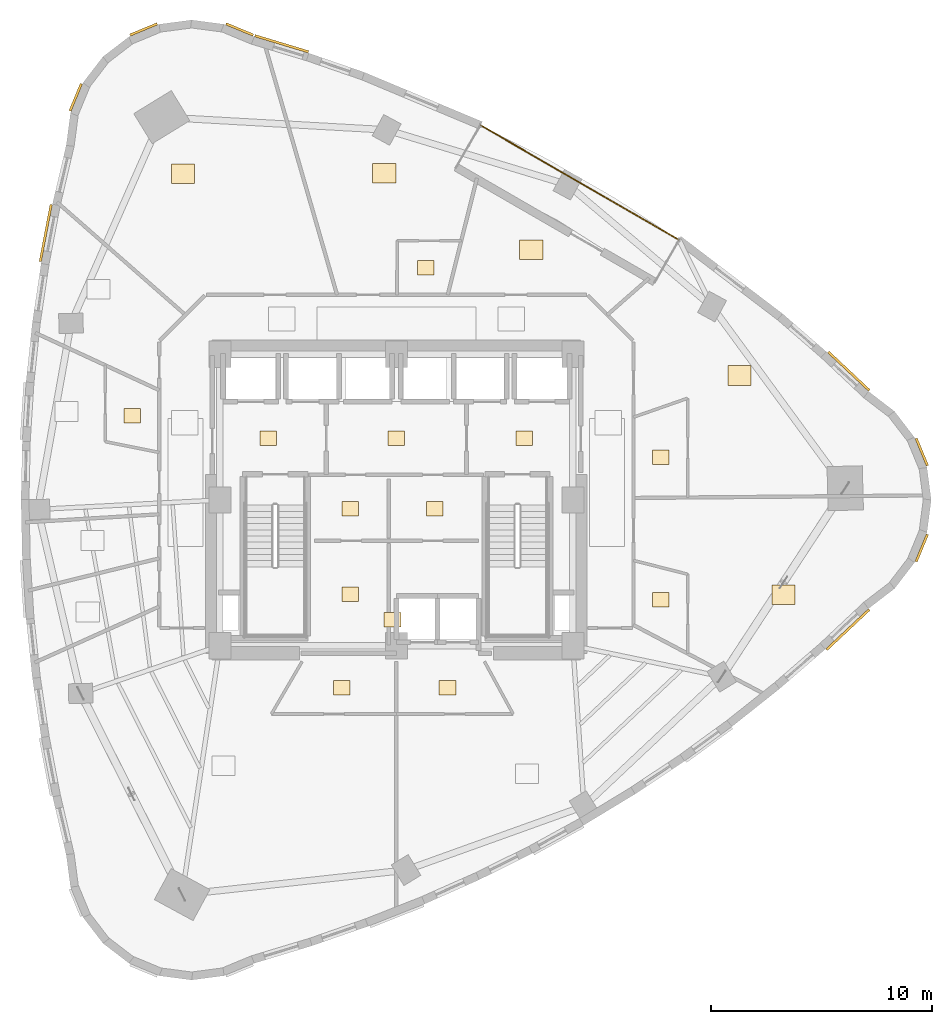
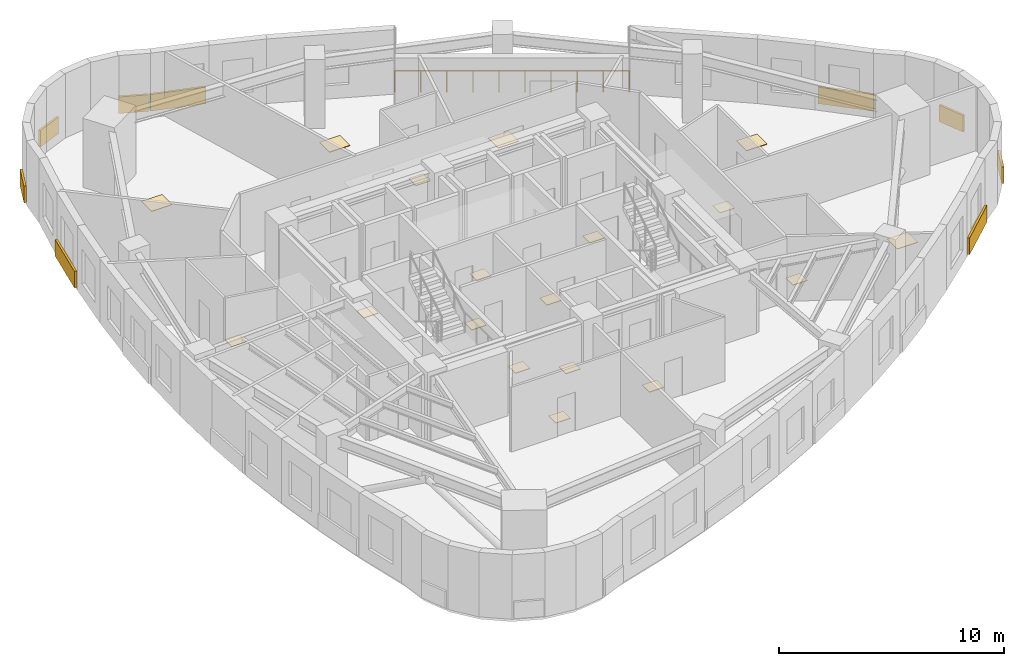
# One storey, part 14 of 14: 27 coverings, 1 railing.
"""IFC4 building model written with IfcOpenShell, lengths in metres."""

import ifcopenshell
import ifcopenshell.guid

model = None  # the IFC model being written
_history = None  # IfcOwnerHistory: only IFC2X3 demands one
_inside = {}  # id of a spatial element -> (the spatial element, [elements in it])
_under = {}  # id of a project, library or spatial element -> (it, [spatial elements below it])
_declared = {}  # id of a project -> (the project, [libraries it declares])
_typed = {}  # id of a type object -> (the type object, [elements of that type])
_made_of = {}  # id of a material, layer set ... -> (it, [elements and type objects made of it])


def new_model(schema):
    """Start an empty IFC model of exactly this schema.

    Asked for "IFC4X3", IfcOpenShell would pick the latest addendum, in which some entities
    have other attributes; the version numbers below select the first issue.
    IFC2X3 requires an IfcOwnerHistory on every rooted entity: one is made here for all.
    """
    global model, _history
    if schema == "IFC4X3":
        model = ifcopenshell.file(schema_version=(4, 3, 0, 0))
    else:
        model = ifcopenshell.file(schema=schema)
    _inside.clear()
    _under.clear()
    _declared.clear()
    _typed.clear()
    _made_of.clear()
    _history = None
    if model.schema == "IFC2X3":
        org = make("IfcOrganization", Name="unknown")
        user = make(
            "IfcPersonAndOrganization",
            ThePerson=make("IfcPerson", FamilyName="unknown"),
            TheOrganization=org,
        )
        app = make(
            "IfcApplication",
            ApplicationDeveloper=org,
            Version="unknown",
            ApplicationFullName="unknown",
            ApplicationIdentifier="unknown",
        )
        _history = make(
            "IfcOwnerHistory",
            OwningUser=user,
            OwningApplication=app,
            ChangeAction="ADDED",
            CreationDate=0,
        )
    return model


def make(cls, **values):
    """One entity of the class cls with the attributes given. An attribute that is None is left unset."""
    return model.create_entity(
        cls, **{name: value for name, value in values.items() if value is not None}
    )


def rooted(cls, **values):
    """An entity with a GlobalId (a new one), such as an element, a storey or a relation."""
    return make(cls, GlobalId=ifcopenshell.guid.new(), OwnerHistory=_history, **values)


def si_unit(unit_type, name, prefix=None):
    """IfcSIUnit, for example si_unit("LENGTHUNIT", "METRE", prefix="MILLI")."""
    return make("IfcSIUnit", UnitType=unit_type, Prefix=prefix, Name=name)


def assignment(units):
    """IfcUnitAssignment: the units of a project."""
    return None if units is None else make("IfcUnitAssignment", Units=units)


def point(xyz):
    """IfcCartesianPoint."""
    return None if xyz is None else make("IfcCartesianPoint", Coordinates=xyz)


def direction(xyz):
    """IfcDirection."""
    return None if xyz is None else make("IfcDirection", DirectionRatios=xyz)


def frame(location, z_axis=None, x_axis=None):
    """IfcAxis2Placement3D, a coordinate frame: its origin and axes. An axis left out is left unset."""
    return make(
        "IfcAxis2Placement3D",
        Location=point(location),
        Axis=direction(z_axis),
        RefDirection=direction(x_axis),
    )


def frame_2d(location, x_axis=None):
    """IfcAxis2Placement2D, a coordinate frame in the plane: its origin and x axis."""
    return make(
        "IfcAxis2Placement2D", Location=point(location), RefDirection=direction(x_axis)
    )


def origin():
    """The frame at (0, 0, 0) with its axes left unset."""
    return frame((0.0, 0.0, 0.0))


def origin_2d():
    """The frame at (0, 0) in the plane with its x axis left unset."""
    return frame_2d((0.0, 0.0))


def place(relative_to, where):
    """IfcLocalPlacement: puts the frame where relative to a parent placement (None: the world)."""
    return make(
        "IfcLocalPlacement", PlacementRelTo=relative_to, RelativePlacement=where
    )


def context(
    kind, dimensions, precision=None, world=None, true_north=None, identifier=None
):
    """IfcGeometricRepresentationContext, for example the 3D "Model" context."""
    return make(
        "IfcGeometricRepresentationContext",
        ContextIdentifier=identifier,
        ContextType=kind,
        CoordinateSpaceDimension=dimensions,
        Precision=precision,
        WorldCoordinateSystem=world,
        TrueNorth=true_north,
    )


def subcontext(parent, identifier, kind, view, scale=None):
    """IfcGeometricRepresentationSubContext, for example "Body" below "Model"."""
    return make(
        "IfcGeometricRepresentationSubContext",
        ContextIdentifier=identifier,
        ContextType=kind,
        ParentContext=parent,
        TargetScale=scale,
        TargetView=view,
    )


def project(units=None, contexts=None):
    """IfcProject with its units and contexts."""
    return rooted(
        "IfcProject",
        Name="project",
        RepresentationContexts=contexts,
        UnitsInContext=assignment(units),
    )


def spatial(cls, under=None, at=None, **own):
    """A site, building, storey or space (cls), placed at a placement, below another one or the project."""
    s = rooted(cls, ObjectPlacement=at, **own)
    if under is not None:
        _under.setdefault(under.id(), (under, []))[1].append(s)
    return s


def profile(cls, at=None, kind="AREA", **sizes):
    """A parametric profile (cls). Its sizes go by their IFC names, for example OverallWidth=200.0."""
    return make(cls, ProfileType=kind, Position=at, **sizes)


def rectangle(**sizes):
    """IfcRectangleProfileDef."""
    return profile("IfcRectangleProfileDef", **sizes)


def circle(**sizes):
    """IfcCircleProfileDef."""
    return profile("IfcCircleProfileDef", **sizes)


def extrude(swept, where, along, depth):
    """IfcExtrudedAreaSolid: the profile swept, set in the frame where, extruded along a direction by depth."""
    return make(
        "IfcExtrudedAreaSolid",
        SweptArea=swept,
        Position=where,
        ExtrudedDirection=direction(along),
        Depth=depth,
    )


def shape(context_of_items, identifier, shape_type, items):
    """IfcShapeRepresentation: the items that make up one representation, for example the "Body"."""
    return make(
        "IfcShapeRepresentation",
        ContextOfItems=context_of_items,
        RepresentationIdentifier=identifier,
        RepresentationType=shape_type,
        Items=items,
    )


def material(Name=None, Category=None):
    """IfcMaterial."""
    return make("IfcMaterial", Name=Name, Category=Category)


def layer(
    of_material, thickness, ventilated=None, Name=None, Category=None, Priority=None
):
    """IfcMaterialLayer: one layer of a wall or slab, of a material (None: an air gap)."""
    return make(
        "IfcMaterialLayer",
        Material=of_material,
        LayerThickness=thickness,
        IsVentilated=ventilated,
        Name=Name,
        Category=Category,
        Priority=Priority,
    )


def layer_set(layers, Name=None):
    """IfcMaterialLayerSet."""
    return make("IfcMaterialLayerSet", MaterialLayers=layers, LayerSetName=Name)


def made_of(thing, what):
    """Note that an element or type object is made of a material, layer set ...; save() writes the relation."""
    if what is not None:
        _made_of.setdefault(what.id(), (what, []))[1].append(thing)
    return thing


def type_object(cls, material=None, **own):
    """A type object (cls), such as IfcWallType, which elements share."""
    return made_of(rooted(cls, **own), material)


def element(
    cls,
    number,
    at=None,
    inside=None,
    cuts=None,
    type_object=None,
    material=None,
    context=None,
    identifier="Body",
    shape_type=None,
    held_by="IfcProductDefinitionShape",
    body=None,
    shapes=None,
    **own,
):
    """One element of the class cls, such as IfcWall. Its Tag is "e" and its number.

    at: its placement. inside: the storey or other place that contains it. cuts: it is an
    opening in that element (IfcRelVoidsElement). A single representation is given by context,
    identifier, shape_type and body (its items); several are given by shapes. held_by: the class
    of the entity that holds the representations. save() writes the other relations.
    """
    e = rooted(cls, Tag="e%d" % number, ObjectPlacement=at, **own)
    if body is not None:
        shapes = [shape(context, identifier, shape_type, body)]
    if shapes is not None:
        e.Representation = make(held_by, Representations=shapes)
    if inside is not None:
        _inside.setdefault(inside.id(), (inside, []))[1].append(e)
    if cuts is not None:
        rooted(
            "IfcRelVoidsElement", RelatingBuildingElement=cuts, RelatedOpeningElement=e
        )
    if type_object is not None:
        _typed.setdefault(type_object.id(), (type_object, []))[1].append(e)
    return made_of(e, material)


def aggregate(whole, parts):
    """IfcRelAggregates: a whole, such as a stair, and the parts it consists of."""
    return rooted("IfcRelAggregates", RelatingObject=whole, RelatedObjects=parts)


def save(model, path):
    """Write the relations noted so far, then the file.

    IfcRelAggregates (storeys below a building ...), IfcRelContainedInSpatialStructure (elements
    in a storey), IfcRelDefinesByType, IfcRelAssociatesMaterial and IfcRelDeclares: one each for
    every whole, place, type object, material and project.
    """
    for whole, parts in _under.values():
        aggregate(whole, parts)
    for where, things in _inside.values():
        rooted(
            "IfcRelContainedInSpatialStructure",
            RelatedElements=things,
            RelatingStructure=where,
        )
    for kind, things in _typed.values():
        rooted("IfcRelDefinesByType", RelatedObjects=things, RelatingType=kind)
    for what, things in _made_of.values():
        rooted("IfcRelAssociatesMaterial", RelatedObjects=things, RelatingMaterial=what)
    for by, libraries in _declared.values():
        rooted("IfcRelDeclares", RelatingContext=by, RelatedDefinitions=libraries)
    model.write(path)


model = new_model("IFC4")

# Units and contexts
model_context = context("Model", 3, precision=1e-05, world=origin(), true_north=direction((0.0, 1.0)))
body_context = subcontext(model_context, "Body", "Model", "MODEL_VIEW")
ifc_project = project(units=[si_unit("LENGTHUNIT", "METRE"), si_unit("AREAUNIT", "SQUARE_METRE"), si_unit("VOLUMEUNIT", "CUBIC_METRE"), si_unit("PLANEANGLEUNIT", "RADIAN"), si_unit("MASSUNIT", "GRAM", prefix="KILO")], contexts=[model_context])

# Site, building, storey
site_placement = place(None, origin())
site = spatial("IfcSite", under=ifc_project, at=site_placement, CompositionType="ELEMENT")
building_placement = place(site_placement, origin())
building = spatial("IfcBuilding", under=site, at=building_placement, Name="Ndelora Gate Hotel", CompositionType="ELEMENT")
storey_placement = place(building_placement, frame((0.0, 0.0, 127.25)))
storey = spatial("IfcBuildingStorey", under=building, at=storey_placement, Name="L31", CompositionType="ELEMENT", Elevation=127.25)

# Coverings
ifc_material_1 = material(Name="Terracotta Fired Clay Brick Slip Cladding", Category="masonry")
ifc_layer_1 = layer(ifc_material_1, 0.110107421875)
ifc_layer_set_1 = layer_set([ifc_layer_1], Name="Terracotta Fired Clay Brick Slip Cladding")
covering_type_1 = type_object("IfcCoveringType", Name="COV-CLAD-BRK", PredefinedType="CLADDING", material=ifc_layer_set_1)
for number, where, z_axis, x_axis, name in (
    (1, (-7.104248046875, 21.327392578125, 0.10009765625), (0.0, 0.0, 1.0), (-0.923879532511, 0.382683432365, 0.0), "L31 Rounded-Corner Brick Cladding Band 1"),
    (2, (-11.456298828125, 21.327392578125, 0.10009765625), (0.0, 0.0, 1.0), (0.923879532511, 0.382683432365, 0.0), "L31 Rounded-Corner Brick Cladding Band 4"),
    (3, (-14.53369140625, 18.249755859375, 0.10009765625), (0.0, 0.0, 1.0), (0.382683432365, 0.923879532511, 0.0), "L31 Rounded-Corner Brick Cladding Band 7"),
):
    element("IfcCovering", number, at=place(storey_placement, frame(where, z_axis=z_axis, x_axis=x_axis)), inside=storey, type_object=covering_type_1, Name=name, PredefinedType="CLADDING", context=body_context, shape_type="SweptSolid", body=[
        extrude(rectangle(XDim=1.3359375, YDim=0.110107421875, at=origin_2d()), origin(), (0.0, 0.0, 1.0), 0.89990234375),
    ])
covering_1_placement = place(storey_placement, frame((-15.89208984375, 12.09912109375, 0.10009765625), z_axis=(0.0, 0.0, 1.0), x_axis=(0.187895613278, 0.982189003456, 0.0)))
element("IfcCovering", 4, at=covering_1_placement, inside=storey, type_object=covering_type_1, Name="L31 Rounded-Corner Brick Cladding Band 10", PredefinedType="CLADDING", context=body_context, shape_type="SweptSolid", body=[
    extrude(rectangle(XDim=2.6279296875, YDim=0.110107421875, at=origin_2d()), origin(), (0.0, 0.0, 1.0), 0.89990234375),
])
covering_2_placement = place(storey_placement, frame((20.466552734375, -5.87451171875, 0.10009765625), z_axis=(0.0, 0.0, 1.0), x_axis=(0.729446353773, 0.684038023042, 0.0)))
element("IfcCovering", 5, at=covering_2_placement, inside=storey, type_object=covering_type_1, Name="L31 Rounded-Corner Brick Cladding Band 40", PredefinedType="CLADDING", context=body_context, shape_type="SweptSolid", body=[
    extrude(rectangle(XDim=2.65087890625, YDim=0.110107421875, at=origin_2d()), origin(), (0.0, 0.0, 1.0), 0.89990234375),
])
for number, where, z_axis, x_axis, name in (
    (6, (23.81396484375, -2.176025390625, 0.10009765625), (0.0, 0.0, 1.0), (0.382683432365, 0.923879532511, 0.0), "L31 Rounded-Corner Brick Cladding Band 43"),
    (7, (23.81396484375, 2.176025390625, 0.10009765625), (0.0, 0.0, 1.0), (-0.382683432365, 0.923879532511, 0.0), "L31 Rounded-Corner Brick Cladding Band 46"),
):
    element("IfcCovering", number, at=place(storey_placement, frame(where, z_axis=z_axis, x_axis=x_axis)), inside=storey, type_object=covering_type_1, Name=name, PredefinedType="CLADDING", context=body_context, shape_type="SweptSolid", body=[
        extrude(rectangle(XDim=1.3359375, YDim=0.110107421875, at=origin_2d()), origin(), (0.0, 0.0, 1.0), 0.89990234375),
    ])
for number, where, z_axis, x_axis, name in (
    (8, (20.507568359375, 5.837646484375, 0.10009765625), (0.0, 0.0, 1.0), (-0.72884914031, 0.684674324529, 0.0), "L31 Rounded-Corner Brick Cladding Band 49"),
    (9, (-5.1982421875, 20.6787109375, 0.10009765625), (0.0, 0.0, 1.0), (-0.957369928516, 0.288864708771, 0.0), "L31 Rounded-Corner Brick Cladding Band 58"),
):
    element("IfcCovering", number, at=place(storey_placement, frame(where, z_axis=z_axis, x_axis=x_axis)), inside=storey, type_object=covering_type_1, Name=name, PredefinedType="CLADDING", context=body_context, shape_type="SweptSolid", body=[
        extrude(rectangle(XDim=2.5419921875, YDim=0.110107421875, at=origin_2d()), origin(), (0.0, 0.0, 1.0), 0.89990234375),
    ])
ifc_material_2 = material(Name="Engineered Highland Oak Parquet", Category="wood")
ifc_layer_2 = layer(ifc_material_2, 0.030029296875)
ifc_layer_set_2 = layer_set([ifc_layer_2], Name="Engineered Highland Oak Parquet")
covering_type_2 = type_object("IfcCoveringType", Name="COV-FLR-PARQ", PredefinedType="FLOORING", material=ifc_layer_set_2)
for number, where, z_axis, x_axis, name in (
    (10, (17.547119140625, -4.2958984375, 0.0), (0.0, 0.0, 1.0), (1.0, 0.0, 0.0), "L31 Club Twin Junior Suite 3403 Oak Parquet Flooring"),
    (11, (15.55517578125, 5.637939453125, 0.0), (0.0, 0.0, 1.0), (1.0, 0.0, 0.0), "L31 Grand Club Suite 3404 Oak Parquet Flooring"),
    (12, (6.1103515625, 11.340087890625, 0.0), (0.0, 0.0, 1.0), (1.0, 0.0, 0.0), "L31 Sky Garden Tea Dining Room Oak Parquet Flooring"),
    (13, (-0.545654296875, 14.807861328125, 0.0), (0.0, 0.0, 1.0), (1.0, 0.0, 0.0), "L31 Club Executive Suite 3405 Oak Parquet Flooring"),
    (14, (-9.677490234375, 14.789794921875, 0.0), (0.0, 0.0, 1.0), (1.0, 0.0, 0.0), "L31 Private Club Dining Room Oak Parquet Flooring"),
):
    element("IfcCovering", number, at=place(storey_placement, frame(where, z_axis=z_axis, x_axis=x_axis)), inside=storey, type_object=covering_type_2, Name=name, PredefinedType="FLOORING", context=body_context, shape_type="SweptSolid", body=[
        extrude(rectangle(XDim=1.050048828125, YDim=0.89990234375, at=origin_2d()), origin(), (0.0, 0.0, 1.0), 0.030029296875),
    ])
ifc_material_3 = material(Name="Non-Slip Porcelain Wet-Room Tile", Category="ceramic")
ifc_layer_3 = layer(ifc_material_3, 0.02490234375)
ifc_layer_set_3 = layer_set([ifc_layer_3], Name="Non-Slip Porcelain Wet-Room Tile")
covering_type_3 = type_object("IfcCoveringType", Name="COV-FLR-TILE", PredefinedType="FLOORING", material=ifc_layer_set_3)
for number, where, z_axis, x_axis, name in (
    (15, (-5.800048828125, 2.800048828125, 0.0), (0.0, 0.0, 1.0), (1.0, 0.0, 0.0), "L31 Firefighting Lift Lobby West Porcelain Tile Flooring"),
    (16, (5.800048828125, 2.800048828125, 0.0), (0.0, 0.0, 1.0), (1.0, 0.0, 0.0), "L31 Firefighting Lift Lobby East Porcelain Tile Flooring"),
    (17, (0.0, 2.800048828125, 0.0), (0.0, 0.0, 1.0), (1.0, 0.0, 0.0), "L31 Central Passenger Lift Lobby Porcelain Tile Flooring"),
    (18, (-2.10009765625, -0.39990234375, 0.0), (0.0, 0.0, 1.0), (1.0, 0.0, 0.0), "L31 Core Electrical Closet Porcelain Tile Flooring"),
    (19, (1.75, -0.39990234375, 0.0), (0.0, 0.0, 1.0), (1.0, 0.0, 0.0), "L31 Comms Patching Store Porcelain Tile Flooring"),
    (20, (-2.10009765625, -4.27490234375, 0.0), (0.0, 0.0, 1.0), (1.0, 0.0, 0.0), "L31 Valet Laundry Store Porcelain Tile Flooring"),
    (21, (-0.175048828125, -5.429931640625, 0.0), (0.0, 0.0, 1.0), (1.0, 0.0, 0.0), "L31 Housekeeping Reserve Store Porcelain Tile Flooring"),
    (22, (-2.47998046875, -8.510009765625, 0.0), (0.0, 0.0, 1.0), (1.0, 0.0, 0.0), "L31 En-suite Bathroom 3401 Porcelain Tile Flooring"),
    (23, (2.318359375, -8.510009765625, 0.0), (0.0, 0.0, 1.0), (1.0, 0.0, 0.0), "L31 En-suite Bathroom 3402 Porcelain Tile Flooring"),
    (24, (11.97509765625, -4.519775390625, 0.0), (0.0, 0.0, 1.0), (1.0, 0.0, 0.0), "L31 En-suite Bathroom 3403 Porcelain Tile Flooring"),
    (25, (11.97509765625, 1.939697265625, 0.0), (0.0, 0.0, 1.0), (1.0, 0.0, 0.0), "L31 En-suite Bathroom 3404 Porcelain Tile Flooring"),
    (26, (1.333740234375, 10.52490234375, 0.0), (0.0, 0.0, 1.0), (1.0, 0.0, 0.0), "L31 En-suite Bathroom 3405 Porcelain Tile Flooring"),
    (27, (-11.97509765625, 3.8154296875, 0.0), (0.0, 0.0, 1.0), (1.0, 0.0, 0.0), "L31 En-suite Bathroom 3406 Porcelain Tile Flooring"),
):
    element("IfcCovering", number, at=place(storey_placement, frame(where, z_axis=z_axis, x_axis=x_axis)), inside=storey, type_object=covering_type_3, Name=name, PredefinedType="FLOORING", context=body_context, shape_type="SweptSolid", body=[
        extrude(rectangle(XDim=0.75, YDim=0.64990234375, at=origin_2d()), origin(), (0.0, 0.0, 1.0), 0.02490234375),
    ])

# Railing
ifc_material_4 = material(Name="Laminated Safety Glass and Bronze Top Rail", Category="glass")
ifc_layer_4 = layer(ifc_material_4, 0.070068359375)
ifc_layer_set_4 = layer_set([ifc_layer_4], Name="Laminated Safety Glass and Bronze Top Rail")
railing_type = type_object("IfcRailingType", Name="RL-BAL-1150", PredefinedType="BALUSTRADE", material=ifc_layer_set_4)
railing_placement = place(storey_placement, frame((12.81103515625, 11.78955078125, 0.0)))
element("IfcRailing", 28, at=railing_placement, inside=storey, type_object=railing_type, Name="L31 Sky-Garden Loggia Terrace Balustrade", PredefinedType="BALUSTRADE", context=body_context, shape_type="SweptSolid", body=[
    extrude(circle(Radius=0.02392578125, at=origin_2d()), frame((0.0, 0.0, 1.1357421875), z_axis=(-0.866025696342, 0.499999493275, 0.0), x_axis=(-0.499999493275, -0.866025696342, 0.0)), (0.0, 0.0, 1.0), 10.39990234375),
    extrude(circle(Radius=0.02099609375, at=origin_2d()), origin(), (0.0, 0.0, 1.0), 1.11181640625),
    extrude(circle(Radius=0.02099609375, at=origin_2d()), frame((-1.000732421875, 0.577880859375, 0.0)), (0.0, 0.0, 1.0), 1.11181640625),
    extrude(circle(Radius=0.02099609375, at=origin_2d()), frame((-2.00146484375, 1.155517578125, 0.0)), (0.0, 0.0, 1.0), 1.11181640625),
    extrude(circle(Radius=0.02099609375, at=origin_2d()), frame((-3.002197265625, 1.7333984375, 0.0)), (0.0, 0.0, 1.0), 1.11181640625),
    extrude(circle(Radius=0.02099609375, at=origin_2d()), frame((-4.0029296875, 2.31103515625, 0.0)), (0.0, 0.0, 1.0), 1.11181640625),
    extrude(circle(Radius=0.02099609375, at=origin_2d()), frame((-5.003662109375, 2.888916015625, 0.0)), (0.0, 0.0, 1.0), 1.11181640625),
    extrude(circle(Radius=0.02099609375, at=origin_2d()), frame((-6.00439453125, 3.466552734375, 0.0)), (0.0, 0.0, 1.0), 1.11181640625),
    extrude(circle(Radius=0.02099609375, at=origin_2d()), frame((-7.005126953125, 4.04443359375, 0.0)), (0.0, 0.0, 1.0), 1.11181640625),
    extrude(circle(Radius=0.02099609375, at=origin_2d()), frame((-8.005859375, 4.6220703125, 0.0)), (0.0, 0.0, 1.0), 1.11181640625),
    extrude(circle(Radius=0.02099609375, at=origin_2d()), frame((-9.006591796875, 5.199951171875, 0.0)), (0.0, 0.0, 1.0), 1.11181640625),
])

save(model, "model.ifc")
